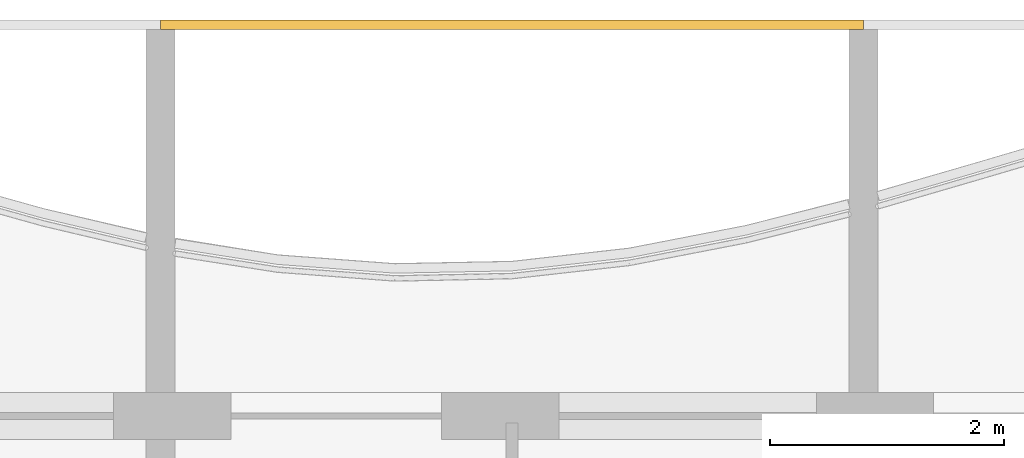
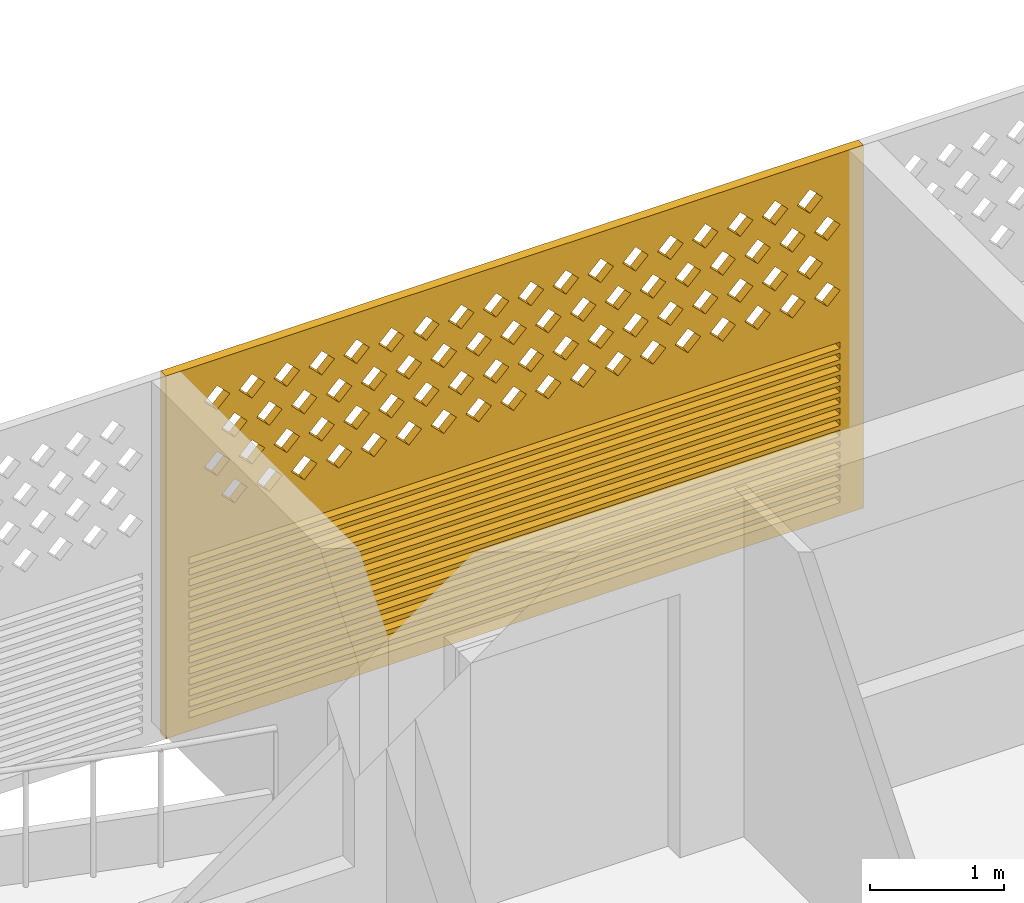
# One storey, part 24 of 28: 1 covering.
"""IFC4 building model written with IfcOpenShell, lengths in metres."""

from ifc_helpers import new_model, si_unit, direction, frame, origin, place, context, subcontext, project, spatial, polyline, outline, extrude, source, transform, mapped, material, material_profile, profile_set, type_object, element, save


model = new_model("IFC4")

# Units and contexts
model_context = context("Model", 3, precision=1e-05, world=origin(), true_north=direction((0.0, 1.0)))
body_context = subcontext(model_context, "Body", "Model", "MODEL_VIEW")
ifc_project = project(units=[si_unit("LENGTHUNIT", "METRE"), si_unit("AREAUNIT", "SQUARE_METRE"), si_unit("VOLUMEUNIT", "CUBIC_METRE"), si_unit("PLANEANGLEUNIT", "RADIAN"), si_unit("MASSUNIT", "GRAM", prefix="KILO")], contexts=[model_context])

# Site, building, storey
site_placement = place(None, origin())
site = spatial("IfcSite", under=ifc_project, at=site_placement, CompositionType="ELEMENT")
building_placement = place(site_placement, origin())
building = spatial("IfcBuilding", under=site, at=building_placement, Name="Poui Terraces", CompositionType="ELEMENT")
storey_placement = place(building_placement, frame((0.0, 0.0, 185.10009765625)))
storey = spatial("IfcBuildingStorey", under=building, at=storey_placement, Name="L51", CompositionType="ELEMENT", Elevation=185.10009765625)

# Covering
ifc_material = material(Name="Terracotta screen", Category="masonry")
ifc_material_profile = material_profile(ifc_material, outline(polyline([(-3.0, -1.64990234375), (3.0, -1.64990234375), (3.0, 1.64990234375), (-3.0, 1.64990234375), (-3.0, -1.64990234375)]), holes=[polyline([(-2.800048828125, 0.39990234375), (-2.68994140625, 0.2900390625), (-2.580078125, 0.39990234375), (-2.68994140625, 0.510009765625), (-2.800048828125, 0.39990234375)]), polyline([(-2.5, 0.39990234375), (-2.389892578125, 0.2900390625), (-2.280029296875, 0.39990234375), (-2.389892578125, 0.510009765625), (-2.5, 0.39990234375)]), polyline([(-2.199951171875, 0.39990234375), (-2.090087890625, 0.2900390625), (-1.97998046875, 0.39990234375), (-2.090087890625, 0.510009765625), (-2.199951171875, 0.39990234375)]), polyline([(-1.89990234375, 0.39990234375), (-1.7900390625, 0.2900390625), (-1.679931640625, 0.39990234375), (-1.7900390625, 0.510009765625), (-1.89990234375, 0.39990234375)]), polyline([(-1.60009765625, 0.39990234375), (-1.489990234375, 0.2900390625), (-1.3798828125, 0.39990234375), (-1.489990234375, 0.510009765625), (-1.60009765625, 0.39990234375)]), polyline([(-1.300048828125, 0.39990234375), (-1.18994140625, 0.2900390625), (-1.080078125, 0.39990234375), (-1.18994140625, 0.510009765625), (-1.300048828125, 0.39990234375)]), polyline([(-1.0, 0.39990234375), (-0.889892578125, 0.2900390625), (-0.780029296875, 0.39990234375), (-0.889892578125, 0.510009765625), (-1.0, 0.39990234375)]), polyline([(-0.699951171875, 0.39990234375), (-0.590087890625, 0.2900390625), (-0.47998046875, 0.39990234375), (-0.590087890625, 0.510009765625), (-0.699951171875, 0.39990234375)]), polyline([(-0.39990234375, 0.39990234375), (-0.2900390625, 0.2900390625), (-0.179931640625, 0.39990234375), (-0.2900390625, 0.510009765625), (-0.39990234375, 0.39990234375)]), polyline([(-0.10009765625, 0.39990234375), (0.010009765625, 0.2900390625), (0.1201171875, 0.39990234375), (0.010009765625, 0.510009765625), (-0.10009765625, 0.39990234375)]), polyline([(0.199951171875, 0.39990234375), (0.31005859375, 0.2900390625), (0.419921875, 0.39990234375), (0.31005859375, 0.510009765625), (0.199951171875, 0.39990234375)]), polyline([(0.5, 0.39990234375), (0.610107421875, 0.2900390625), (0.719970703125, 0.39990234375), (0.610107421875, 0.510009765625), (0.5, 0.39990234375)]), polyline([(0.800048828125, 0.39990234375), (0.909912109375, 0.2900390625), (1.02001953125, 0.39990234375), (0.909912109375, 0.510009765625), (0.800048828125, 0.39990234375)]), polyline([(1.10009765625, 0.39990234375), (1.2099609375, 0.2900390625), (1.320068359375, 0.39990234375), (1.2099609375, 0.510009765625), (1.10009765625, 0.39990234375)]), polyline([(1.39990234375, 0.39990234375), (1.510009765625, 0.2900390625), (1.6201171875, 0.39990234375), (1.510009765625, 0.510009765625), (1.39990234375, 0.39990234375)]), polyline([(1.699951171875, 0.39990234375), (1.81005859375, 0.2900390625), (1.919921875, 0.39990234375), (1.81005859375, 0.510009765625), (1.699951171875, 0.39990234375)]), polyline([(2.0, 0.39990234375), (2.110107421875, 0.2900390625), (2.219970703125, 0.39990234375), (2.110107421875, 0.510009765625), (2.0, 0.39990234375)]), polyline([(2.300048828125, 0.39990234375), (2.409912109375, 0.2900390625), (2.52001953125, 0.39990234375), (2.409912109375, 0.510009765625), (2.300048828125, 0.39990234375)]), polyline([(-2.64990234375, 0.699951171875), (-2.5400390625, 0.590087890625), (-2.429931640625, 0.699951171875), (-2.5400390625, 0.81005859375), (-2.64990234375, 0.699951171875)]), polyline([(-2.35009765625, 0.699951171875), (-2.239990234375, 0.590087890625), (-2.1298828125, 0.699951171875), (-2.239990234375, 0.81005859375), (-2.35009765625, 0.699951171875)]), polyline([(-2.050048828125, 0.699951171875), (-1.93994140625, 0.590087890625), (-1.830078125, 0.699951171875), (-1.93994140625, 0.81005859375), (-2.050048828125, 0.699951171875)]), polyline([(-1.75, 0.699951171875), (-1.639892578125, 0.590087890625), (-1.530029296875, 0.699951171875), (-1.639892578125, 0.81005859375), (-1.75, 0.699951171875)]), polyline([(-1.449951171875, 0.699951171875), (-1.340087890625, 0.590087890625), (-1.22998046875, 0.699951171875), (-1.340087890625, 0.81005859375), (-1.449951171875, 0.699951171875)]), polyline([(-1.14990234375, 0.699951171875), (-1.0400390625, 0.590087890625), (-0.929931640625, 0.699951171875), (-1.0400390625, 0.81005859375), (-1.14990234375, 0.699951171875)]), polyline([(-0.85009765625, 0.699951171875), (-0.739990234375, 0.590087890625), (-0.6298828125, 0.699951171875), (-0.739990234375, 0.81005859375), (-0.85009765625, 0.699951171875)]), polyline([(-0.550048828125, 0.699951171875), (-0.43994140625, 0.590087890625), (-0.330078125, 0.699951171875), (-0.43994140625, 0.81005859375), (-0.550048828125, 0.699951171875)]), polyline([(-0.25, 0.699951171875), (-0.139892578125, 0.590087890625), (-0.030029296875, 0.699951171875), (-0.139892578125, 0.81005859375), (-0.25, 0.699951171875)]), polyline([(0.050048828125, 0.699951171875), (0.159912109375, 0.590087890625), (0.27001953125, 0.699951171875), (0.159912109375, 0.81005859375), (0.050048828125, 0.699951171875)]), polyline([(0.35009765625, 0.699951171875), (0.4599609375, 0.590087890625), (0.570068359375, 0.699951171875), (0.4599609375, 0.81005859375), (0.35009765625, 0.699951171875)]), polyline([(0.64990234375, 0.699951171875), (0.760009765625, 0.590087890625), (0.8701171875, 0.699951171875), (0.760009765625, 0.81005859375), (0.64990234375, 0.699951171875)]), polyline([(0.949951171875, 0.699951171875), (1.06005859375, 0.590087890625), (1.169921875, 0.699951171875), (1.06005859375, 0.81005859375), (0.949951171875, 0.699951171875)]), polyline([(1.25, 0.699951171875), (1.360107421875, 0.590087890625), (1.469970703125, 0.699951171875), (1.360107421875, 0.81005859375), (1.25, 0.699951171875)]), polyline([(1.550048828125, 0.699951171875), (1.659912109375, 0.590087890625), (1.77001953125, 0.699951171875), (1.659912109375, 0.81005859375), (1.550048828125, 0.699951171875)]), polyline([(1.85009765625, 0.699951171875), (1.9599609375, 0.590087890625), (2.070068359375, 0.699951171875), (1.9599609375, 0.81005859375), (1.85009765625, 0.699951171875)]), polyline([(2.14990234375, 0.699951171875), (2.260009765625, 0.590087890625), (2.3701171875, 0.699951171875), (2.260009765625, 0.81005859375), (2.14990234375, 0.699951171875)]), polyline([(2.449951171875, 0.699951171875), (2.56005859375, 0.590087890625), (2.669921875, 0.699951171875), (2.56005859375, 0.81005859375), (2.449951171875, 0.699951171875)]), polyline([(-2.800048828125, 1.0), (-2.68994140625, 0.889892578125), (-2.580078125, 1.0), (-2.68994140625, 1.110107421875), (-2.800048828125, 1.0)]), polyline([(-2.5, 1.0), (-2.389892578125, 0.889892578125), (-2.280029296875, 1.0), (-2.389892578125, 1.110107421875), (-2.5, 1.0)]), polyline([(-2.199951171875, 1.0), (-2.090087890625, 0.889892578125), (-1.97998046875, 1.0), (-2.090087890625, 1.110107421875), (-2.199951171875, 1.0)]), polyline([(-1.89990234375, 1.0), (-1.7900390625, 0.889892578125), (-1.679931640625, 1.0), (-1.7900390625, 1.110107421875), (-1.89990234375, 1.0)]), polyline([(-1.60009765625, 1.0), (-1.489990234375, 0.889892578125), (-1.3798828125, 1.0), (-1.489990234375, 1.110107421875), (-1.60009765625, 1.0)]), polyline([(-1.300048828125, 1.0), (-1.18994140625, 0.889892578125), (-1.080078125, 1.0), (-1.18994140625, 1.110107421875), (-1.300048828125, 1.0)]), polyline([(-1.0, 1.0), (-0.889892578125, 0.889892578125), (-0.780029296875, 1.0), (-0.889892578125, 1.110107421875), (-1.0, 1.0)]), polyline([(-0.699951171875, 1.0), (-0.590087890625, 0.889892578125), (-0.47998046875, 1.0), (-0.590087890625, 1.110107421875), (-0.699951171875, 1.0)]), polyline([(-0.39990234375, 1.0), (-0.2900390625, 0.889892578125), (-0.179931640625, 1.0), (-0.2900390625, 1.110107421875), (-0.39990234375, 1.0)]), polyline([(-0.10009765625, 1.0), (0.010009765625, 0.889892578125), (0.1201171875, 1.0), (0.010009765625, 1.110107421875), (-0.10009765625, 1.0)]), polyline([(0.199951171875, 1.0), (0.31005859375, 0.889892578125), (0.419921875, 1.0), (0.31005859375, 1.110107421875), (0.199951171875, 1.0)]), polyline([(0.5, 1.0), (0.610107421875, 0.889892578125), (0.719970703125, 1.0), (0.610107421875, 1.110107421875), (0.5, 1.0)]), polyline([(0.800048828125, 1.0), (0.909912109375, 0.889892578125), (1.02001953125, 1.0), (0.909912109375, 1.110107421875), (0.800048828125, 1.0)]), polyline([(1.10009765625, 1.0), (1.2099609375, 0.889892578125), (1.320068359375, 1.0), (1.2099609375, 1.110107421875), (1.10009765625, 1.0)]), polyline([(1.39990234375, 1.0), (1.510009765625, 0.889892578125), (1.6201171875, 1.0), (1.510009765625, 1.110107421875), (1.39990234375, 1.0)]), polyline([(1.699951171875, 1.0), (1.81005859375, 0.889892578125), (1.919921875, 1.0), (1.81005859375, 1.110107421875), (1.699951171875, 1.0)]), polyline([(2.0, 1.0), (2.110107421875, 0.889892578125), (2.219970703125, 1.0), (2.110107421875, 1.110107421875), (2.0, 1.0)]), polyline([(2.300048828125, 1.0), (2.409912109375, 0.889892578125), (2.52001953125, 1.0), (2.409912109375, 1.110107421875), (2.300048828125, 1.0)]), polyline([(-2.64990234375, 1.300048828125), (-2.5400390625, 1.18994140625), (-2.429931640625, 1.300048828125), (-2.5400390625, 1.409912109375), (-2.64990234375, 1.300048828125)]), polyline([(-2.35009765625, 1.300048828125), (-2.239990234375, 1.18994140625), (-2.1298828125, 1.300048828125), (-2.239990234375, 1.409912109375), (-2.35009765625, 1.300048828125)]), polyline([(-2.050048828125, 1.300048828125), (-1.93994140625, 1.18994140625), (-1.830078125, 1.300048828125), (-1.93994140625, 1.409912109375), (-2.050048828125, 1.300048828125)]), polyline([(-1.75, 1.300048828125), (-1.639892578125, 1.18994140625), (-1.530029296875, 1.300048828125), (-1.639892578125, 1.409912109375), (-1.75, 1.300048828125)]), polyline([(-1.449951171875, 1.300048828125), (-1.340087890625, 1.18994140625), (-1.22998046875, 1.300048828125), (-1.340087890625, 1.409912109375), (-1.449951171875, 1.300048828125)]), polyline([(-1.14990234375, 1.300048828125), (-1.0400390625, 1.18994140625), (-0.929931640625, 1.300048828125), (-1.0400390625, 1.409912109375), (-1.14990234375, 1.300048828125)]), polyline([(-0.85009765625, 1.300048828125), (-0.739990234375, 1.18994140625), (-0.6298828125, 1.300048828125), (-0.739990234375, 1.409912109375), (-0.85009765625, 1.300048828125)]), polyline([(-0.550048828125, 1.300048828125), (-0.43994140625, 1.18994140625), (-0.330078125, 1.300048828125), (-0.43994140625, 1.409912109375), (-0.550048828125, 1.300048828125)]), polyline([(-0.25, 1.300048828125), (-0.139892578125, 1.18994140625), (-0.030029296875, 1.300048828125), (-0.139892578125, 1.409912109375), (-0.25, 1.300048828125)]), polyline([(0.050048828125, 1.300048828125), (0.159912109375, 1.18994140625), (0.27001953125, 1.300048828125), (0.159912109375, 1.409912109375), (0.050048828125, 1.300048828125)]), polyline([(0.35009765625, 1.300048828125), (0.4599609375, 1.18994140625), (0.570068359375, 1.300048828125), (0.4599609375, 1.409912109375), (0.35009765625, 1.300048828125)]), polyline([(0.64990234375, 1.300048828125), (0.760009765625, 1.18994140625), (0.8701171875, 1.300048828125), (0.760009765625, 1.409912109375), (0.64990234375, 1.300048828125)]), polyline([(0.949951171875, 1.300048828125), (1.06005859375, 1.18994140625), (1.169921875, 1.300048828125), (1.06005859375, 1.409912109375), (0.949951171875, 1.300048828125)]), polyline([(1.25, 1.300048828125), (1.360107421875, 1.18994140625), (1.469970703125, 1.300048828125), (1.360107421875, 1.409912109375), (1.25, 1.300048828125)]), polyline([(1.550048828125, 1.300048828125), (1.659912109375, 1.18994140625), (1.77001953125, 1.300048828125), (1.659912109375, 1.409912109375), (1.550048828125, 1.300048828125)]), polyline([(1.85009765625, 1.300048828125), (1.9599609375, 1.18994140625), (2.070068359375, 1.300048828125), (1.9599609375, 1.409912109375), (1.85009765625, 1.300048828125)]), polyline([(2.14990234375, 1.300048828125), (2.260009765625, 1.18994140625), (2.3701171875, 1.300048828125), (2.260009765625, 1.409912109375), (2.14990234375, 1.300048828125)]), polyline([(2.449951171875, 1.300048828125), (2.56005859375, 1.18994140625), (2.669921875, 1.300048828125), (2.56005859375, 1.409912109375), (2.449951171875, 1.300048828125)]), polyline([(-2.800048828125, -1.530029296875), (2.800048828125, -1.530029296875), (2.800048828125, -1.469970703125), (-2.800048828125, -1.469970703125), (-2.800048828125, -1.530029296875)]), polyline([(-2.800048828125, -1.429931640625), (2.800048828125, -1.429931640625), (2.800048828125, -1.3701171875), (-2.800048828125, -1.3701171875), (-2.800048828125, -1.429931640625)]), polyline([(-2.800048828125, -1.330078125), (2.800048828125, -1.330078125), (2.800048828125, -1.27001953125), (-2.800048828125, -1.27001953125), (-2.800048828125, -1.330078125)]), polyline([(-2.800048828125, -1.22998046875), (2.800048828125, -1.22998046875), (2.800048828125, -1.169921875), (-2.800048828125, -1.169921875), (-2.800048828125, -1.22998046875)]), polyline([(-2.800048828125, -1.1298828125), (2.800048828125, -1.1298828125), (2.800048828125, -1.070068359375), (-2.800048828125, -1.070068359375), (-2.800048828125, -1.1298828125)]), polyline([(-2.800048828125, -1.030029296875), (2.800048828125, -1.030029296875), (2.800048828125, -0.969970703125), (-2.800048828125, -0.969970703125), (-2.800048828125, -1.030029296875)]), polyline([(-2.800048828125, -0.929931640625), (2.800048828125, -0.929931640625), (2.800048828125, -0.8701171875), (-2.800048828125, -0.8701171875), (-2.800048828125, -0.929931640625)]), polyline([(-2.800048828125, -0.830078125), (2.800048828125, -0.830078125), (2.800048828125, -0.77001953125), (-2.800048828125, -0.77001953125), (-2.800048828125, -0.830078125)]), polyline([(-2.800048828125, -0.72998046875), (2.800048828125, -0.72998046875), (2.800048828125, -0.669921875), (-2.800048828125, -0.669921875), (-2.800048828125, -0.72998046875)]), polyline([(-2.800048828125, -0.6298828125), (2.800048828125, -0.6298828125), (2.800048828125, -0.570068359375), (-2.800048828125, -0.570068359375), (-2.800048828125, -0.6298828125)]), polyline([(-2.800048828125, -0.530029296875), (2.800048828125, -0.530029296875), (2.800048828125, -0.469970703125), (-2.800048828125, -0.469970703125), (-2.800048828125, -0.530029296875)]), polyline([(-2.800048828125, -0.429931640625), (2.800048828125, -0.429931640625), (2.800048828125, -0.3701171875), (-2.800048828125, -0.3701171875), (-2.800048828125, -0.429931640625)]), polyline([(-2.800048828125, -0.330078125), (2.800048828125, -0.330078125), (2.800048828125, -0.27001953125), (-2.800048828125, -0.27001953125), (-2.800048828125, -0.330078125)]), polyline([(-2.800048828125, -0.22998046875), (2.800048828125, -0.22998046875), (2.800048828125, -0.169921875), (-2.800048828125, -0.169921875), (-2.800048828125, -0.22998046875)]), polyline([(-2.800048828125, -0.1298828125), (2.800048828125, -0.1298828125), (2.800048828125, -0.070068359375), (-2.800048828125, -0.070068359375), (-2.800048828125, -0.1298828125)])]), Name="TERRACOTTA SCREEN AND JALOUSIE LOUVRE 6000X3300")
ifc_profile_set = profile_set([ifc_material_profile], Name="Terracotta screen")
covering_type = type_object("IfcCoveringType", Name="TERRACOTTA SCREEN AND JALOUSIE LOUVRE 6000X3300", PredefinedType="CLADDING", material=ifc_profile_set)
shared_shape = source(origin(), body_context, "Body", "SweptSolid", [
    extrude(outline(polyline([(-3.0, -1.64990234375), (3.0, -1.64990234375), (3.0, 1.64990234375), (-3.0, 1.64990234375), (-3.0, -1.64990234375)]), holes=[polyline([(-2.800048828125, 0.39990234375), (-2.68994140625, 0.2900390625), (-2.580078125, 0.39990234375), (-2.68994140625, 0.510009765625), (-2.800048828125, 0.39990234375)]), polyline([(-2.5, 0.39990234375), (-2.389892578125, 0.2900390625), (-2.280029296875, 0.39990234375), (-2.389892578125, 0.510009765625), (-2.5, 0.39990234375)]), polyline([(-2.199951171875, 0.39990234375), (-2.090087890625, 0.2900390625), (-1.97998046875, 0.39990234375), (-2.090087890625, 0.510009765625), (-2.199951171875, 0.39990234375)]), polyline([(-1.89990234375, 0.39990234375), (-1.7900390625, 0.2900390625), (-1.679931640625, 0.39990234375), (-1.7900390625, 0.510009765625), (-1.89990234375, 0.39990234375)]), polyline([(-1.60009765625, 0.39990234375), (-1.489990234375, 0.2900390625), (-1.3798828125, 0.39990234375), (-1.489990234375, 0.510009765625), (-1.60009765625, 0.39990234375)]), polyline([(-1.300048828125, 0.39990234375), (-1.18994140625, 0.2900390625), (-1.080078125, 0.39990234375), (-1.18994140625, 0.510009765625), (-1.300048828125, 0.39990234375)]), polyline([(-1.0, 0.39990234375), (-0.889892578125, 0.2900390625), (-0.780029296875, 0.39990234375), (-0.889892578125, 0.510009765625), (-1.0, 0.39990234375)]), polyline([(-0.699951171875, 0.39990234375), (-0.590087890625, 0.2900390625), (-0.47998046875, 0.39990234375), (-0.590087890625, 0.510009765625), (-0.699951171875, 0.39990234375)]), polyline([(-0.39990234375, 0.39990234375), (-0.2900390625, 0.2900390625), (-0.179931640625, 0.39990234375), (-0.2900390625, 0.510009765625), (-0.39990234375, 0.39990234375)]), polyline([(-0.10009765625, 0.39990234375), (0.010009765625, 0.2900390625), (0.1201171875, 0.39990234375), (0.010009765625, 0.510009765625), (-0.10009765625, 0.39990234375)]), polyline([(0.199951171875, 0.39990234375), (0.31005859375, 0.2900390625), (0.419921875, 0.39990234375), (0.31005859375, 0.510009765625), (0.199951171875, 0.39990234375)]), polyline([(0.5, 0.39990234375), (0.610107421875, 0.2900390625), (0.719970703125, 0.39990234375), (0.610107421875, 0.510009765625), (0.5, 0.39990234375)]), polyline([(0.800048828125, 0.39990234375), (0.909912109375, 0.2900390625), (1.02001953125, 0.39990234375), (0.909912109375, 0.510009765625), (0.800048828125, 0.39990234375)]), polyline([(1.10009765625, 0.39990234375), (1.2099609375, 0.2900390625), (1.320068359375, 0.39990234375), (1.2099609375, 0.510009765625), (1.10009765625, 0.39990234375)]), polyline([(1.39990234375, 0.39990234375), (1.510009765625, 0.2900390625), (1.6201171875, 0.39990234375), (1.510009765625, 0.510009765625), (1.39990234375, 0.39990234375)]), polyline([(1.699951171875, 0.39990234375), (1.81005859375, 0.2900390625), (1.919921875, 0.39990234375), (1.81005859375, 0.510009765625), (1.699951171875, 0.39990234375)]), polyline([(2.0, 0.39990234375), (2.110107421875, 0.2900390625), (2.219970703125, 0.39990234375), (2.110107421875, 0.510009765625), (2.0, 0.39990234375)]), polyline([(2.300048828125, 0.39990234375), (2.409912109375, 0.2900390625), (2.52001953125, 0.39990234375), (2.409912109375, 0.510009765625), (2.300048828125, 0.39990234375)]), polyline([(-2.64990234375, 0.699951171875), (-2.5400390625, 0.590087890625), (-2.429931640625, 0.699951171875), (-2.5400390625, 0.81005859375), (-2.64990234375, 0.699951171875)]), polyline([(-2.35009765625, 0.699951171875), (-2.239990234375, 0.590087890625), (-2.1298828125, 0.699951171875), (-2.239990234375, 0.81005859375), (-2.35009765625, 0.699951171875)]), polyline([(-2.050048828125, 0.699951171875), (-1.93994140625, 0.590087890625), (-1.830078125, 0.699951171875), (-1.93994140625, 0.81005859375), (-2.050048828125, 0.699951171875)]), polyline([(-1.75, 0.699951171875), (-1.639892578125, 0.590087890625), (-1.530029296875, 0.699951171875), (-1.639892578125, 0.81005859375), (-1.75, 0.699951171875)]), polyline([(-1.449951171875, 0.699951171875), (-1.340087890625, 0.590087890625), (-1.22998046875, 0.699951171875), (-1.340087890625, 0.81005859375), (-1.449951171875, 0.699951171875)]), polyline([(-1.14990234375, 0.699951171875), (-1.0400390625, 0.590087890625), (-0.929931640625, 0.699951171875), (-1.0400390625, 0.81005859375), (-1.14990234375, 0.699951171875)]), polyline([(-0.85009765625, 0.699951171875), (-0.739990234375, 0.590087890625), (-0.6298828125, 0.699951171875), (-0.739990234375, 0.81005859375), (-0.85009765625, 0.699951171875)]), polyline([(-0.550048828125, 0.699951171875), (-0.43994140625, 0.590087890625), (-0.330078125, 0.699951171875), (-0.43994140625, 0.81005859375), (-0.550048828125, 0.699951171875)]), polyline([(-0.25, 0.699951171875), (-0.139892578125, 0.590087890625), (-0.030029296875, 0.699951171875), (-0.139892578125, 0.81005859375), (-0.25, 0.699951171875)]), polyline([(0.050048828125, 0.699951171875), (0.159912109375, 0.590087890625), (0.27001953125, 0.699951171875), (0.159912109375, 0.81005859375), (0.050048828125, 0.699951171875)]), polyline([(0.35009765625, 0.699951171875), (0.4599609375, 0.590087890625), (0.570068359375, 0.699951171875), (0.4599609375, 0.81005859375), (0.35009765625, 0.699951171875)]), polyline([(0.64990234375, 0.699951171875), (0.760009765625, 0.590087890625), (0.8701171875, 0.699951171875), (0.760009765625, 0.81005859375), (0.64990234375, 0.699951171875)]), polyline([(0.949951171875, 0.699951171875), (1.06005859375, 0.590087890625), (1.169921875, 0.699951171875), (1.06005859375, 0.81005859375), (0.949951171875, 0.699951171875)]), polyline([(1.25, 0.699951171875), (1.360107421875, 0.590087890625), (1.469970703125, 0.699951171875), (1.360107421875, 0.81005859375), (1.25, 0.699951171875)]), polyline([(1.550048828125, 0.699951171875), (1.659912109375, 0.590087890625), (1.77001953125, 0.699951171875), (1.659912109375, 0.81005859375), (1.550048828125, 0.699951171875)]), polyline([(1.85009765625, 0.699951171875), (1.9599609375, 0.590087890625), (2.070068359375, 0.699951171875), (1.9599609375, 0.81005859375), (1.85009765625, 0.699951171875)]), polyline([(2.14990234375, 0.699951171875), (2.260009765625, 0.590087890625), (2.3701171875, 0.699951171875), (2.260009765625, 0.81005859375), (2.14990234375, 0.699951171875)]), polyline([(2.449951171875, 0.699951171875), (2.56005859375, 0.590087890625), (2.669921875, 0.699951171875), (2.56005859375, 0.81005859375), (2.449951171875, 0.699951171875)]), polyline([(-2.800048828125, 1.0), (-2.68994140625, 0.889892578125), (-2.580078125, 1.0), (-2.68994140625, 1.110107421875), (-2.800048828125, 1.0)]), polyline([(-2.5, 1.0), (-2.389892578125, 0.889892578125), (-2.280029296875, 1.0), (-2.389892578125, 1.110107421875), (-2.5, 1.0)]), polyline([(-2.199951171875, 1.0), (-2.090087890625, 0.889892578125), (-1.97998046875, 1.0), (-2.090087890625, 1.110107421875), (-2.199951171875, 1.0)]), polyline([(-1.89990234375, 1.0), (-1.7900390625, 0.889892578125), (-1.679931640625, 1.0), (-1.7900390625, 1.110107421875), (-1.89990234375, 1.0)]), polyline([(-1.60009765625, 1.0), (-1.489990234375, 0.889892578125), (-1.3798828125, 1.0), (-1.489990234375, 1.110107421875), (-1.60009765625, 1.0)]), polyline([(-1.300048828125, 1.0), (-1.18994140625, 0.889892578125), (-1.080078125, 1.0), (-1.18994140625, 1.110107421875), (-1.300048828125, 1.0)]), polyline([(-1.0, 1.0), (-0.889892578125, 0.889892578125), (-0.780029296875, 1.0), (-0.889892578125, 1.110107421875), (-1.0, 1.0)]), polyline([(-0.699951171875, 1.0), (-0.590087890625, 0.889892578125), (-0.47998046875, 1.0), (-0.590087890625, 1.110107421875), (-0.699951171875, 1.0)]), polyline([(-0.39990234375, 1.0), (-0.2900390625, 0.889892578125), (-0.179931640625, 1.0), (-0.2900390625, 1.110107421875), (-0.39990234375, 1.0)]), polyline([(-0.10009765625, 1.0), (0.010009765625, 0.889892578125), (0.1201171875, 1.0), (0.010009765625, 1.110107421875), (-0.10009765625, 1.0)]), polyline([(0.199951171875, 1.0), (0.31005859375, 0.889892578125), (0.419921875, 1.0), (0.31005859375, 1.110107421875), (0.199951171875, 1.0)]), polyline([(0.5, 1.0), (0.610107421875, 0.889892578125), (0.719970703125, 1.0), (0.610107421875, 1.110107421875), (0.5, 1.0)]), polyline([(0.800048828125, 1.0), (0.909912109375, 0.889892578125), (1.02001953125, 1.0), (0.909912109375, 1.110107421875), (0.800048828125, 1.0)]), polyline([(1.10009765625, 1.0), (1.2099609375, 0.889892578125), (1.320068359375, 1.0), (1.2099609375, 1.110107421875), (1.10009765625, 1.0)]), polyline([(1.39990234375, 1.0), (1.510009765625, 0.889892578125), (1.6201171875, 1.0), (1.510009765625, 1.110107421875), (1.39990234375, 1.0)]), polyline([(1.699951171875, 1.0), (1.81005859375, 0.889892578125), (1.919921875, 1.0), (1.81005859375, 1.110107421875), (1.699951171875, 1.0)]), polyline([(2.0, 1.0), (2.110107421875, 0.889892578125), (2.219970703125, 1.0), (2.110107421875, 1.110107421875), (2.0, 1.0)]), polyline([(2.300048828125, 1.0), (2.409912109375, 0.889892578125), (2.52001953125, 1.0), (2.409912109375, 1.110107421875), (2.300048828125, 1.0)]), polyline([(-2.64990234375, 1.300048828125), (-2.5400390625, 1.18994140625), (-2.429931640625, 1.300048828125), (-2.5400390625, 1.409912109375), (-2.64990234375, 1.300048828125)]), polyline([(-2.35009765625, 1.300048828125), (-2.239990234375, 1.18994140625), (-2.1298828125, 1.300048828125), (-2.239990234375, 1.409912109375), (-2.35009765625, 1.300048828125)]), polyline([(-2.050048828125, 1.300048828125), (-1.93994140625, 1.18994140625), (-1.830078125, 1.300048828125), (-1.93994140625, 1.409912109375), (-2.050048828125, 1.300048828125)]), polyline([(-1.75, 1.300048828125), (-1.639892578125, 1.18994140625), (-1.530029296875, 1.300048828125), (-1.639892578125, 1.409912109375), (-1.75, 1.300048828125)]), polyline([(-1.449951171875, 1.300048828125), (-1.340087890625, 1.18994140625), (-1.22998046875, 1.300048828125), (-1.340087890625, 1.409912109375), (-1.449951171875, 1.300048828125)]), polyline([(-1.14990234375, 1.300048828125), (-1.0400390625, 1.18994140625), (-0.929931640625, 1.300048828125), (-1.0400390625, 1.409912109375), (-1.14990234375, 1.300048828125)]), polyline([(-0.85009765625, 1.300048828125), (-0.739990234375, 1.18994140625), (-0.6298828125, 1.300048828125), (-0.739990234375, 1.409912109375), (-0.85009765625, 1.300048828125)]), polyline([(-0.550048828125, 1.300048828125), (-0.43994140625, 1.18994140625), (-0.330078125, 1.300048828125), (-0.43994140625, 1.409912109375), (-0.550048828125, 1.300048828125)]), polyline([(-0.25, 1.300048828125), (-0.139892578125, 1.18994140625), (-0.030029296875, 1.300048828125), (-0.139892578125, 1.409912109375), (-0.25, 1.300048828125)]), polyline([(0.050048828125, 1.300048828125), (0.159912109375, 1.18994140625), (0.27001953125, 1.300048828125), (0.159912109375, 1.409912109375), (0.050048828125, 1.300048828125)]), polyline([(0.35009765625, 1.300048828125), (0.4599609375, 1.18994140625), (0.570068359375, 1.300048828125), (0.4599609375, 1.409912109375), (0.35009765625, 1.300048828125)]), polyline([(0.64990234375, 1.300048828125), (0.760009765625, 1.18994140625), (0.8701171875, 1.300048828125), (0.760009765625, 1.409912109375), (0.64990234375, 1.300048828125)]), polyline([(0.949951171875, 1.300048828125), (1.06005859375, 1.18994140625), (1.169921875, 1.300048828125), (1.06005859375, 1.409912109375), (0.949951171875, 1.300048828125)]), polyline([(1.25, 1.300048828125), (1.360107421875, 1.18994140625), (1.469970703125, 1.300048828125), (1.360107421875, 1.409912109375), (1.25, 1.300048828125)]), polyline([(1.550048828125, 1.300048828125), (1.659912109375, 1.18994140625), (1.77001953125, 1.300048828125), (1.659912109375, 1.409912109375), (1.550048828125, 1.300048828125)]), polyline([(1.85009765625, 1.300048828125), (1.9599609375, 1.18994140625), (2.070068359375, 1.300048828125), (1.9599609375, 1.409912109375), (1.85009765625, 1.300048828125)]), polyline([(2.14990234375, 1.300048828125), (2.260009765625, 1.18994140625), (2.3701171875, 1.300048828125), (2.260009765625, 1.409912109375), (2.14990234375, 1.300048828125)]), polyline([(2.449951171875, 1.300048828125), (2.56005859375, 1.18994140625), (2.669921875, 1.300048828125), (2.56005859375, 1.409912109375), (2.449951171875, 1.300048828125)]), polyline([(-2.800048828125, -1.530029296875), (2.800048828125, -1.530029296875), (2.800048828125, -1.469970703125), (-2.800048828125, -1.469970703125), (-2.800048828125, -1.530029296875)]), polyline([(-2.800048828125, -1.429931640625), (2.800048828125, -1.429931640625), (2.800048828125, -1.3701171875), (-2.800048828125, -1.3701171875), (-2.800048828125, -1.429931640625)]), polyline([(-2.800048828125, -1.330078125), (2.800048828125, -1.330078125), (2.800048828125, -1.27001953125), (-2.800048828125, -1.27001953125), (-2.800048828125, -1.330078125)]), polyline([(-2.800048828125, -1.22998046875), (2.800048828125, -1.22998046875), (2.800048828125, -1.169921875), (-2.800048828125, -1.169921875), (-2.800048828125, -1.22998046875)]), polyline([(-2.800048828125, -1.1298828125), (2.800048828125, -1.1298828125), (2.800048828125, -1.070068359375), (-2.800048828125, -1.070068359375), (-2.800048828125, -1.1298828125)]), polyline([(-2.800048828125, -1.030029296875), (2.800048828125, -1.030029296875), (2.800048828125, -0.969970703125), (-2.800048828125, -0.969970703125), (-2.800048828125, -1.030029296875)]), polyline([(-2.800048828125, -0.929931640625), (2.800048828125, -0.929931640625), (2.800048828125, -0.8701171875), (-2.800048828125, -0.8701171875), (-2.800048828125, -0.929931640625)]), polyline([(-2.800048828125, -0.830078125), (2.800048828125, -0.830078125), (2.800048828125, -0.77001953125), (-2.800048828125, -0.77001953125), (-2.800048828125, -0.830078125)]), polyline([(-2.800048828125, -0.72998046875), (2.800048828125, -0.72998046875), (2.800048828125, -0.669921875), (-2.800048828125, -0.669921875), (-2.800048828125, -0.72998046875)]), polyline([(-2.800048828125, -0.6298828125), (2.800048828125, -0.6298828125), (2.800048828125, -0.570068359375), (-2.800048828125, -0.570068359375), (-2.800048828125, -0.6298828125)]), polyline([(-2.800048828125, -0.530029296875), (2.800048828125, -0.530029296875), (2.800048828125, -0.469970703125), (-2.800048828125, -0.469970703125), (-2.800048828125, -0.530029296875)]), polyline([(-2.800048828125, -0.429931640625), (2.800048828125, -0.429931640625), (2.800048828125, -0.3701171875), (-2.800048828125, -0.3701171875), (-2.800048828125, -0.429931640625)]), polyline([(-2.800048828125, -0.330078125), (2.800048828125, -0.330078125), (2.800048828125, -0.27001953125), (-2.800048828125, -0.27001953125), (-2.800048828125, -0.330078125)]), polyline([(-2.800048828125, -0.22998046875), (2.800048828125, -0.22998046875), (2.800048828125, -0.169921875), (-2.800048828125, -0.169921875), (-2.800048828125, -0.22998046875)]), polyline([(-2.800048828125, -0.1298828125), (2.800048828125, -0.1298828125), (2.800048828125, -0.070068359375), (-2.800048828125, -0.070068359375), (-2.800048828125, -0.1298828125)])]), origin(), (0.0, 0.0, 1.0), 0.080078125),
])
covering_placement = place(storey_placement, frame((63.0, 44.5, 1.449951171875), z_axis=(0.0, 1.0, 0.0), x_axis=(-1.0, 0.0, 0.0)))
element("IfcCovering", 1, at=covering_placement, inside=storey, type_object=covering_type, Name="SOLAR SCREEN AND JALOUSIE LOUVRE", PredefinedType="CLADDING", context=body_context, shape_type="MappedRepresentation", body=[
    mapped(shared_shape, transform((0.0, 0.0, 0.0))),
])

save(model, "model.ifc")
